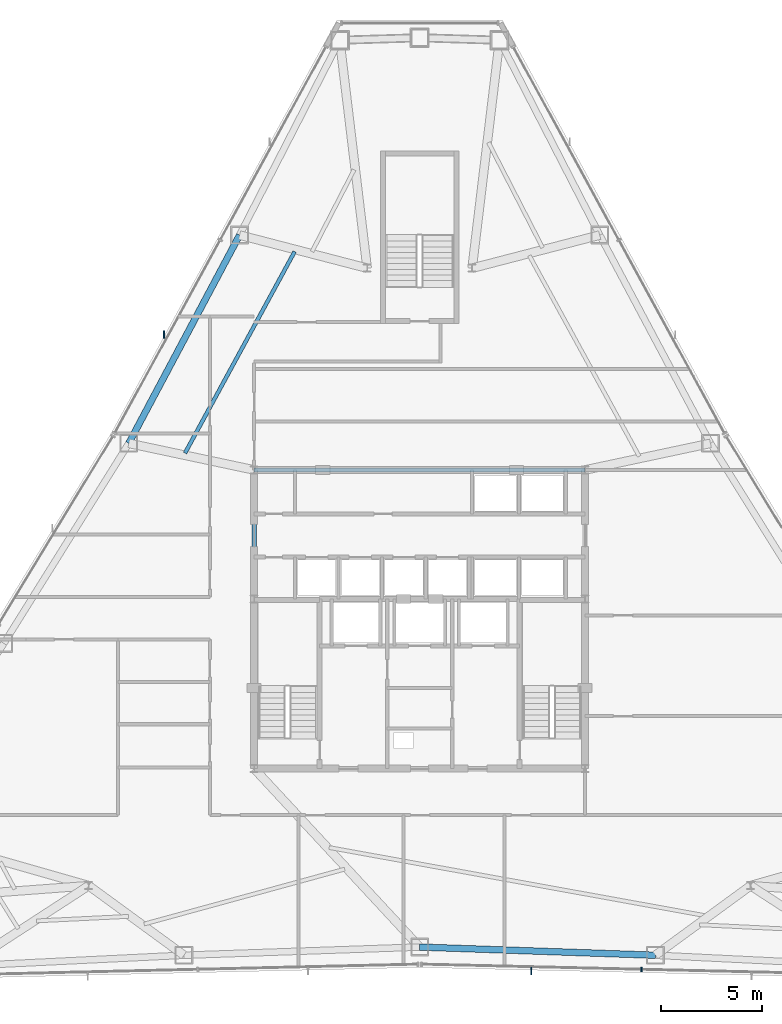
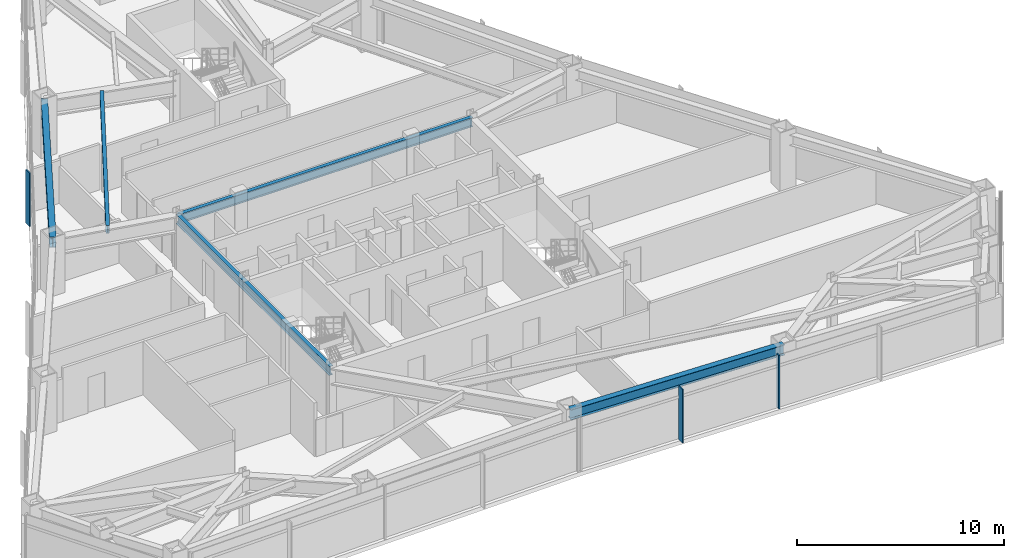
# One storey, part 4 of 12: 5 beams, 3 members, 2 elements without a shape of their own.
"""IFC4 building model written with IfcOpenShell, lengths in metres."""

from ifc_helpers import new_model, si_unit, direction, frame, origin, origin_2d, place, context, subcontext, project, spatial, rectangle, i_section, extrude, source, transform, mapped, material, layer, layer_set, material_profile, profile_set, type_object, type_shapes, element, aggregate, save


model = new_model("IFC4")

# Units and contexts
model_context = context("Model", 3, precision=1e-05, world=origin(), true_north=direction((0.0, 1.0)))
body_context = subcontext(model_context, "Body", "Model", "MODEL_VIEW")
ifc_project = project(units=[si_unit("LENGTHUNIT", "METRE"), si_unit("AREAUNIT", "SQUARE_METRE"), si_unit("VOLUMEUNIT", "CUBIC_METRE"), si_unit("PLANEANGLEUNIT", "RADIAN"), si_unit("MASSUNIT", "GRAM", prefix="KILO")], contexts=[model_context])

# Site, building, storey
site_placement = place(None, origin())
site = spatial("IfcSite", under=ifc_project, at=site_placement, CompositionType="ELEMENT")
building_placement = place(site_placement, origin())
building = spatial("IfcBuilding", under=site, at=building_placement, Name="Varakhsha Concourse Tower", CompositionType="ELEMENT")
storey_placement = place(building_placement, frame((0.0, 0.0, 153.949951171875)))
storey = spatial("IfcBuildingStorey", under=building, at=storey_placement, Name="L44", CompositionType="ELEMENT", Elevation=153.949951171875)

# Beams
ifc_material_1 = material(Name="Structural Steel ASTM A992 Grade 50", Category="steel")
ifc_material_profile_1 = material_profile(ifc_material_1, i_section(OverallWidth=0.19091796875, OverallDepth=0.45703125, WebThickness=0.009033203125, FlangeThickness=0.013916015625, at=origin_2d()), Name="W18X50")
ifc_profile_set_1 = profile_set([ifc_material_profile_1], Name="Structural Steel ASTM A992 Grade 50")
beam_type_1 = type_object("IfcBeamType", Name="BM-JST-W18X50", PredefinedType="JOIST", material=ifc_profile_set_1)
beam_1_placement = place(storey_placement, frame((33.806884765625, 42.022216796875, 2.921630859375), z_axis=(-0.477938544779, -0.878393276053, 0.0), x_axis=(0.878393276053, -0.477938544779, 0.0)))
element("IfcBeam", 1, at=beam_1_placement, inside=storey, type_object=beam_type_1, Name="BM-TJST-L44-04", PredefinedType="JOIST", context=body_context, shape_type="SweptSolid", body=[
    extrude(i_section(OverallWidth=0.19091796875, OverallDepth=0.45703125, WebThickness=0.009033203125, FlangeThickness=0.013916015625, at=origin_2d()), origin(), (0.0, 0.0, 1.0), 11.368408203125),
])
ifc_material_profile_2 = material_profile(ifc_material_1, i_section(OverallWidth=0.2109375, OverallDepth=0.5390625, WebThickness=0.011962890625, FlangeThickness=0.01904296875, at=origin_2d()), Name="W21X73")
ifc_profile_set_2 = profile_set([ifc_material_profile_2], Name="Structural Steel ASTM A992 Grade 50")
beam_type_2 = type_object("IfcBeamType", Name="BM-RAD-W21X73", PredefinedType="BEAM", material=ifc_profile_set_2)
beam_2_placement = place(storey_placement, frame((31.800048828125, 31.199951171875, 2.880615234375), z_axis=(1.0, 0.0, 0.0), x_axis=(0.0, 1.0, 0.0)))
element("IfcBeam", 2, at=beam_2_placement, inside=storey, type_object=beam_type_2, Name="BM-TCORE-L44-CN", PredefinedType="BEAM", context=body_context, shape_type="SweptSolid", body=[
    extrude(i_section(OverallWidth=0.2109375, OverallDepth=0.5390625, WebThickness=0.011962890625, FlangeThickness=0.01904296875, at=origin_2d()), origin(), (0.0, 0.0, 1.0), 16.39990234375),
])
beam_3_placement = place(storey_placement, frame((31.800048828125, 16.39990234375, 2.880615234375), z_axis=(0.0, 1.0, 0.0), x_axis=(-1.0, 0.0, 0.0)))
element("IfcBeam", 3, at=beam_3_placement, inside=storey, type_object=beam_type_2, Name="BM-TCORE-L44-CW", PredefinedType="BEAM", context=body_context, shape_type="SweptSolid", body=[
    extrude(i_section(OverallWidth=0.2109375, OverallDepth=0.5390625, WebThickness=0.011962890625, FlangeThickness=0.01904296875, at=origin_2d()), origin(), (0.0, 0.0, 1.0), 14.800048828125),
])
ifc_material_profile_3 = material_profile(ifc_material_1, i_section(OverallWidth=0.323974609375, OverallDepth=0.611083984375, WebThickness=0.012939453125, FlangeThickness=0.01904296875, at=origin_2d()), Name="W24X104")
ifc_profile_set_3 = profile_set([ifc_material_profile_3], Name="Structural Steel ASTM A992 Grade 50")
beam_type_3 = type_object("IfcBeamType", Name="BM-SPAN-W24X104", PredefinedType="SPANDREL", material=ifc_profile_set_3)
beam_4_placement = place(storey_placement, frame((31.077880859375, 42.8408203125, 2.844482421875), z_axis=(-0.469677397523, -0.882838117809, 0.0), x_axis=(0.882838117809, -0.469677397523, 0.0)))
element("IfcBeam", 4, at=beam_4_placement, inside=storey, type_object=beam_type_3, Name="BM-SPAN-L44-04", PredefinedType="SPANDREL", context=body_context, shape_type="SweptSolid", body=[
    extrude(i_section(OverallWidth=0.323974609375, OverallDepth=0.611083984375, WebThickness=0.012939453125, FlangeThickness=0.01904296875, at=origin_2d()), origin(), (0.0, 0.0, 1.0), 11.689453125),
])
beam_5_placement = place(storey_placement, frame((40.0, 7.55810546875, 2.844482421875), z_axis=(0.999398784039, -0.034670887806, 0.0), x_axis=(0.034670887806, 0.999398784039, 0.0)))
element("IfcBeam", 5, at=beam_5_placement, inside=storey, type_object=beam_type_3, Name="BM-SPAN-L44-11", PredefinedType="SPANDREL", context=body_context, shape_type="SweptSolid", body=[
    extrude(i_section(OverallWidth=0.323974609375, OverallDepth=0.611083984375, WebThickness=0.012939453125, FlangeThickness=0.01904296875, at=origin_2d()), origin(), (0.0, 0.0, 1.0), 11.689208984375),
])

# Curtain wall, member
ifc_material_2 = material(Name="Anodised Bronze Architectural Aluminium AA 6063-T6", Category="aluminium")
ifc_layer = layer(ifc_material_2, 0.2099609375, Name="CW-SYS-04")
ifc_layer_set = layer_set([ifc_layer], Name="Anodised Bronze Architectural Aluminium AA 6063-T6")
curtain_wall_type = type_object("IfcCurtainWallType", Name="CW-SYS-04", PredefinedType="NOTDEFINED", material=ifc_layer_set)
curtain_wall_1_placement = place(storey_placement, origin())
curtain_wall_1 = element("IfcCurtainWall", 6, at=curtain_wall_1_placement, inside=storey, type_object=curtain_wall_type, Name="L44 Crystal Curtain Wall F6", PredefinedType="NOTDEFINED")
ifc_material_profile_4 = material_profile(ifc_material_2, rectangle(XDim=0.074951171875, YDim=0.219970703125, at=origin_2d()), Name="CWM-220X75")
ifc_profile_set_4 = profile_set([ifc_material_profile_4], Name="Anodised Bronze Architectural Aluminium AA 6063-T6")
member_type_1 = type_object("IfcMemberType", Name="CWM-220X75", PredefinedType="MULLION", material=ifc_profile_set_4)
shared_shape_1 = source(origin(), body_context, "Body", "SweptSolid", [
    extrude(rectangle(XDim=0.074951171875, YDim=0.219970703125, at=origin_2d()), origin(), (0.0, 0.0, 1.0), 3.150146484375),
])
type_shapes(member_type_1, [shared_shape_1])
member_1_placement = place(storey_placement, frame((50.99560546875, 6.448486328125, 0.0), z_axis=(0.0, 0.0, 1.0), x_axis=(-0.999726077797, 0.023404473363, 0.0)))
member_1 = element("IfcMember", 7, at=member_1_placement, type_object=member_type_1, Name="CW-L44-F6 Mullion 01", PredefinedType="MULLION", context=body_context, shape_type="MappedRepresentation", body=[
    mapped(shared_shape_1, transform((0.0, 0.0, 0.0), scale=1.0)),
])

curtain_wall_2_placement = place(storey_placement, origin())
curtain_wall_2 = element("IfcCurtainWall", 8, at=curtain_wall_2_placement, inside=storey, type_object=curtain_wall_type, Name="L44 Crystal Curtain Wall F2", PredefinedType="NOTDEFINED")
ifc_material_profile_5 = material_profile(ifc_material_2, rectangle(XDim=0.06005859375, YDim=0.3798828125, at=origin_2d()), Name="FIN-BRZ-380")
ifc_profile_set_5 = profile_set([ifc_material_profile_5], Name="Anodised Bronze Architectural Aluminium AA 6063-T6")
member_type_2 = type_object("IfcMemberType", Name="FIN-BRZ-380", PredefinedType="USERDEFINED", material=ifc_profile_set_5)
shared_shape_2 = source(origin(), body_context, "Body", "SweptSolid", [
    extrude(rectangle(XDim=0.06005859375, YDim=0.3798828125, at=origin_2d()), origin(), (0.0, 0.0, 1.0), 3.150146484375),
])
type_shapes(member_type_2, [shared_shape_2])
member_2_placement = place(storey_placement, frame((27.327392578125, 37.90771484375, 0.0), z_axis=(0.0, 0.0, 1.0), x_axis=(1.0, 0.0, 0.0)))
member_2 = element("IfcMember", 9, at=member_2_placement, type_object=member_type_2, Name="L44 Anodised Bronze Solar Fin F2-1", ObjectType="SOLAR FIN", PredefinedType="USERDEFINED", context=body_context, shape_type="MappedRepresentation", body=[
    mapped(shared_shape_2, transform((0.0, 0.0, 0.0), scale=1.0)),
])
aggregate(curtain_wall_2, [member_2])

# Member
member_3_placement = place(storey_placement, frame((45.534912109375, 6.371337890625, 0.0), z_axis=(0.0, 0.0, 1.0), x_axis=(1.0, 0.0, 0.0)))
member_3 = element("IfcMember", 10, at=member_3_placement, type_object=member_type_2, Name="L44 Anodised Bronze Solar Fin F6-2", ObjectType="SOLAR FIN", PredefinedType="USERDEFINED", context=body_context, shape_type="MappedRepresentation", body=[
    mapped(shared_shape_2, transform((0.0, 0.0, 0.0), scale=1.0)),
])

aggregate(curtain_wall_1, [member_1, member_3])

save(model, "model.ifc")
